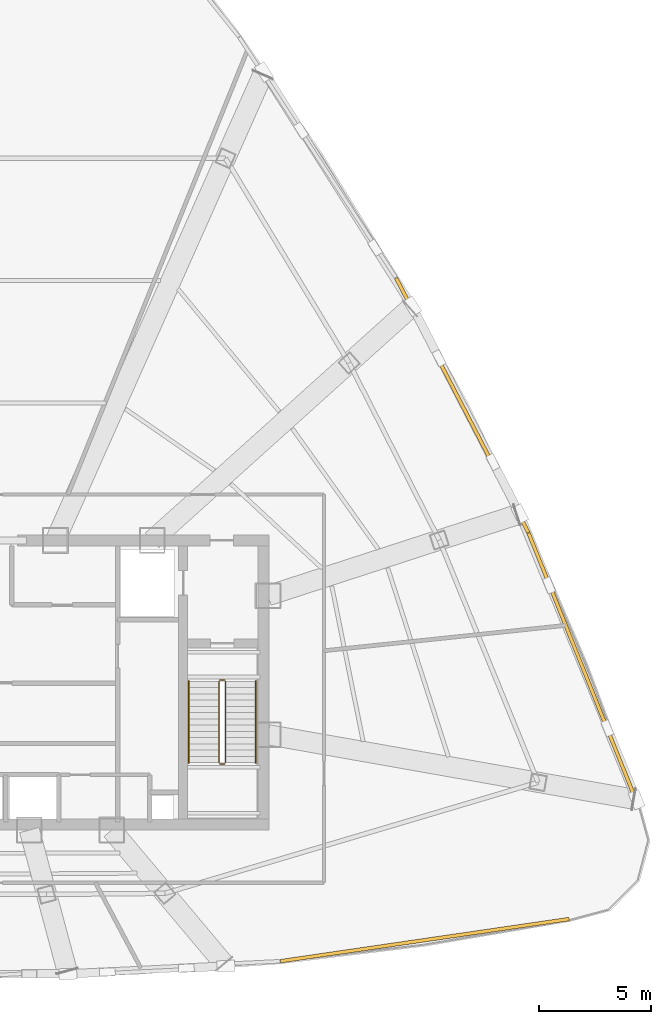
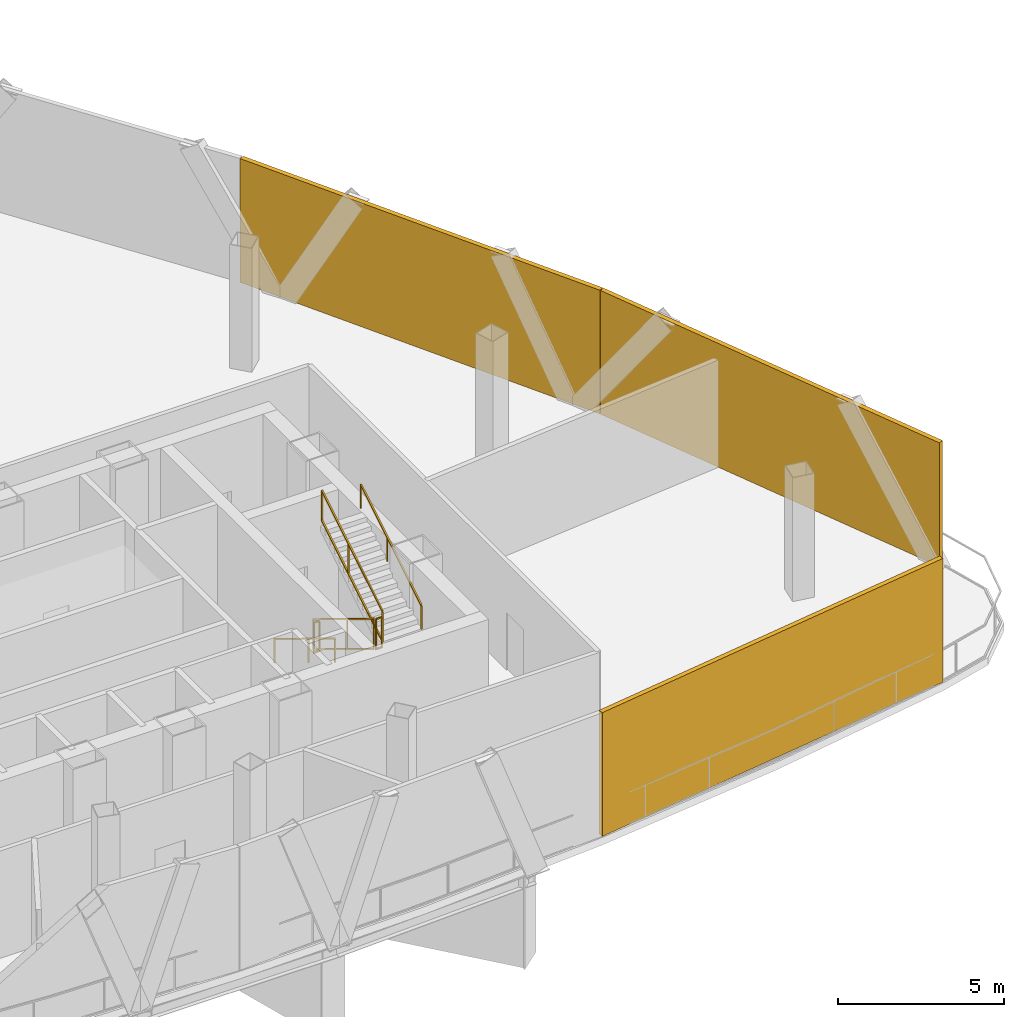
# One storey, part 11 of 12: 6 railings, 3 shading devices.
"""IFC4 building model written with IfcOpenShell, lengths in metres."""

from ifc_helpers import new_model, si_unit, direction, frame, origin, origin_2d, place, context, subcontext, project, spatial, rectangle, extrude, source, transform, mapped, material, layer, layer_set, type_object, element, save


model = new_model("IFC4")

# Units and contexts
model_context = context("Model", 3, precision=1e-05, world=origin(), true_north=direction((0.0, 1.0)))
body_context = subcontext(model_context, "Body", "Model", "MODEL_VIEW")
ifc_project = project(units=[si_unit("LENGTHUNIT", "METRE"), si_unit("AREAUNIT", "SQUARE_METRE"), si_unit("VOLUMEUNIT", "CUBIC_METRE"), si_unit("PLANEANGLEUNIT", "RADIAN"), si_unit("MASSUNIT", "GRAM", prefix="KILO"), si_unit("THERMODYNAMICTEMPERATUREUNIT", "KELVIN"), si_unit("POWERUNIT", "WATT")], contexts=[model_context])

# Site, building, storey
site_placement = place(None, origin())
site = spatial("IfcSite", under=ifc_project, at=site_placement, CompositionType="ELEMENT")
building_placement = place(site_placement, origin())
building = spatial("IfcBuilding", under=site, at=building_placement, Name="Yunzhuo Pagoda Commons", CompositionType="ELEMENT")
storey_placement = place(building_placement, frame((0.0, 0.0, 320.7099609375)))
storey = spatial("IfcBuildingStorey", under=building, at=storey_placement, Name="L80", CompositionType="ELEMENT", Elevation=320.7099609375)

# Railings
ifc_material = material(Name="Anodized aluminium 6063-T6", Category="aluminium")
railing_type_1 = type_object("IfcRailingType", Name="GR-ST2 Stair Well Guardrail 1160", PredefinedType="GUARDRAIL", material=ifc_material)
railing_1_placement = place(storey_placement, frame((58.199951171875, 33.89990234375, 0.17138671875)))
element("IfcRailing", 1, at=railing_1_placement, inside=storey, type_object=railing_type_1, Name="L80 ST2 stair guard 1", PredefinedType="GUARDRAIL", context=body_context, shape_type="SweptSolid", body=[
    extrude(rectangle(XDim=0.048095703125, YDim=0.048095703125, at=origin_2d()), frame((0.0, 0.0, 1.1259765625), z_axis=(0.0, -0.852824790078, 0.522197163366), x_axis=(1.0, 0.0, 0.0)), (0.0, 0.0, 1.0), 4.26806640625),
    extrude(rectangle(XDim=0.048095703125, YDim=0.048095703125, at=origin_2d()), frame((0.0, 0.0, 0.02392578125), z_axis=(0.0, -0.852824790078, 0.522197163366), x_axis=(1.0, 0.0, 0.0)), (0.0, 0.0, 1.0), 4.26806640625),
    extrude(rectangle(XDim=0.0419921875, YDim=0.0419921875, at=origin_2d()), origin(), (0.0, 0.0, 1.0), 1.101806640625),
    extrude(rectangle(XDim=0.0419921875, YDim=0.0419921875, at=origin_2d()), frame((0.0, -2.046875, 1.253173828125)), (0.0, 0.0, 1.0), 1.101806640625),
    extrude(rectangle(XDim=0.0419921875, YDim=0.0419921875, at=origin_2d()), frame((0.0, -3.639892578125, 2.228759765625)), (0.0, 0.0, 1.0), 1.101806640625),
])
railing_2_placement = place(storey_placement, frame((58.25, 30.2099609375, 2.400146484375)))
element("IfcRailing", 2, at=railing_2_placement, inside=storey, type_object=railing_type_1, Name="L80 ST2 stair guard 2", PredefinedType="GUARDRAIL", context=body_context, shape_type="SweptSolid", body=[
    extrude(rectangle(XDim=0.048095703125, YDim=0.048095703125, at=origin_2d()), frame((0.0, 0.0, 1.1259765625), z_axis=(1.0, 0.0, 0.0), x_axis=(0.0, 1.0, 0.0)), (0.0, 0.0, 1.0), 0.199951171875),
    extrude(rectangle(XDim=0.048095703125, YDim=0.048095703125, at=origin_2d()), frame((0.0, 0.0, 0.02392578125), z_axis=(1.0, 0.0, 0.0), x_axis=(0.0, 1.0, 0.0)), (0.0, 0.0, 1.0), 0.199951171875),
    extrude(rectangle(XDim=0.0419921875, YDim=0.0419921875, at=origin_2d()), origin(), (0.0, 0.0, 1.0), 1.101806640625),
    extrude(rectangle(XDim=0.0419921875, YDim=0.0419921875, at=origin_2d()), frame((0.199951171875, 0.0, 0.0)), (0.0, 0.0, 1.0), 1.101806640625),
])
railing_3_placement = place(storey_placement, frame((58.5, 30.260009765625, 2.571533203125)))
element("IfcRailing", 3, at=railing_3_placement, inside=storey, type_object=railing_type_1, Name="L80 ST2 stair guard 3", PredefinedType="GUARDRAIL", context=body_context, shape_type="SweptSolid", body=[
    extrude(rectangle(XDim=0.048095703125, YDim=0.048095703125, at=origin_2d()), frame((0.0, 0.0, 1.1259765625), z_axis=(0.0, 0.852850264322, 0.5221555579), x_axis=(-1.0, 0.0, 0.0)), (0.0, 0.0, 1.0), 4.267822265625),
    extrude(rectangle(XDim=0.048095703125, YDim=0.048095703125, at=origin_2d()), frame((0.0, 0.0, 0.02392578125), z_axis=(0.0, 0.852850264322, 0.5221555579), x_axis=(-1.0, 0.0, 0.0)), (0.0, 0.0, 1.0), 4.267822265625),
    extrude(rectangle(XDim=0.0419921875, YDim=0.0419921875, at=origin_2d()), origin(), (0.0, 0.0, 1.0), 1.101806640625),
    extrude(rectangle(XDim=0.0419921875, YDim=0.0419921875, at=origin_2d()), frame((0.0, 2.046875, 1.253173828125)), (0.0, 0.0, 1.0), 1.101806640625),
    extrude(rectangle(XDim=0.0419921875, YDim=0.0419921875, at=origin_2d()), frame((0.0, 3.639892578125, 2.228515625)), (0.0, 0.0, 1.0), 1.101806640625),
])
railing_4_placement = place(storey_placement, frame((58.25, 33.949951171875, 0.0)))
element("IfcRailing", 4, at=railing_4_placement, inside=storey, type_object=railing_type_1, Name="L80 ST2 stair guard 4", PredefinedType="GUARDRAIL", context=body_context, shape_type="SweptSolid", body=[
    extrude(rectangle(XDim=0.048095703125, YDim=0.048095703125, at=origin_2d()), frame((0.0, 0.0, 1.1259765625), z_axis=(1.0, 0.0, 0.0), x_axis=(0.0, 1.0, 0.0)), (0.0, 0.0, 1.0), 0.199951171875),
    extrude(rectangle(XDim=0.048095703125, YDim=0.048095703125, at=origin_2d()), frame((0.0, 0.0, 0.02392578125), z_axis=(1.0, 0.0, 0.0), x_axis=(0.0, 1.0, 0.0)), (0.0, 0.0, 1.0), 0.199951171875),
    extrude(rectangle(XDim=0.0419921875, YDim=0.0419921875, at=origin_2d()), origin(), (0.0, 0.0, 1.0), 1.101806640625),
    extrude(rectangle(XDim=0.0419921875, YDim=0.0419921875, at=origin_2d()), frame((0.199951171875, 0.0, 0.0)), (0.0, 0.0, 1.0), 1.101806640625),
])
railing_type_2 = type_object("IfcRailingType", Name="HR-ST2 Stair Handrail 900", PredefinedType="HANDRAIL", material=ifc_material)
railing_5_placement = place(storey_placement, frame((56.85009765625, 33.89990234375, 0.17138671875)))
element("IfcRailing", 5, at=railing_5_placement, inside=storey, type_object=railing_type_2, Name="L80 ST2 stair handrail 1", PredefinedType="HANDRAIL", context=body_context, shape_type="SweptSolid", body=[
    extrude(rectangle(XDim=0.048095703125, YDim=0.048095703125, at=origin_2d()), frame((0.0, 0.0, 0.8759765625), z_axis=(0.0, -0.852824790078, 0.522197163366), x_axis=(1.0, 0.0, 0.0)), (0.0, 0.0, 1.0), 4.26806640625),
    extrude(rectangle(XDim=0.0419921875, YDim=0.0419921875, at=origin_2d()), origin(), (0.0, 0.0, 1.0), 0.851806640625),
    extrude(rectangle(XDim=0.0419921875, YDim=0.0419921875, at=origin_2d()), frame((0.0, -2.046875, 1.253173828125)), (0.0, 0.0, 1.0), 0.851806640625),
    extrude(rectangle(XDim=0.0419921875, YDim=0.0419921875, at=origin_2d()), frame((0.0, -3.639892578125, 2.228759765625)), (0.0, 0.0, 1.0), 0.851806640625),
])
railing_6_placement = place(storey_placement, frame((59.85009765625, 30.260009765625, 2.571533203125)))
element("IfcRailing", 6, at=railing_6_placement, inside=storey, type_object=railing_type_2, Name="L80 ST2 stair handrail 2", PredefinedType="HANDRAIL", context=body_context, shape_type="SweptSolid", body=[
    extrude(rectangle(XDim=0.048095703125, YDim=0.048095703125, at=origin_2d()), frame((0.0, 0.0, 0.8759765625), z_axis=(0.0, 0.852850264322, 0.5221555579), x_axis=(-1.0, 0.0, 0.0)), (0.0, 0.0, 1.0), 4.267822265625),
    extrude(rectangle(XDim=0.0419921875, YDim=0.0419921875, at=origin_2d()), origin(), (0.0, 0.0, 1.0), 0.851806640625),
    extrude(rectangle(XDim=0.0419921875, YDim=0.0419921875, at=origin_2d()), frame((0.0, 2.046875, 1.253173828125)), (0.0, 0.0, 1.0), 0.851806640625),
    extrude(rectangle(XDim=0.0419921875, YDim=0.0419921875, at=origin_2d()), frame((0.0, 3.639892578125, 2.228515625)), (0.0, 0.0, 1.0), 0.851806640625),
])

# Shading devices
ifc_layer = layer(ifc_material, 0.159912109375)
ifc_layer_set = layer_set([ifc_layer], Name="Anodized aluminium 6063-T6")
shading_device_type = type_object("IfcShadingDeviceType", Name="SH-SCR1 Stormproof Refuge Louvre Screen", PredefinedType="JALOUSIE", material=ifc_layer_set)
shared_shape_1 = source(origin(), body_context, "Body", "SweptSolid", [
    extrude(rectangle(XDim=13.047119140625, YDim=0.159912109375, at=origin_2d()), origin(), (0.0, 0.0, 1.0), 4.5400390625),
])
shading_device_1_placement = place(storey_placement, frame((67.407470703125, 22.329833984375, 0.0), z_axis=(0.0, 0.0, 1.0), x_axis=(0.989510666697, 0.144459823108, 0.0)))
element("IfcShadingDevice", 7, at=shading_device_1_placement, inside=storey, type_object=shading_device_type, Name="L80 stormproof refuge louvre screen F1.4", PredefinedType="JALOUSIE", context=body_context, shape_type="MappedRepresentation", body=[
    mapped(shared_shape_1, transform((0.0, 0.0, 0.0), scale=1.0)),
])
shared_shape_2 = source(origin(), body_context, "Body", "SweptSolid", [
    extrude(rectangle(XDim=12.942138671875, YDim=0.159912109375, at=origin_2d()), origin(), (0.0, 0.0, 1.0), 4.5400390625),
])
shading_device_2_placement = place(storey_placement, frame((74.460693359375, 34.522216796875, 0.0), z_axis=(0.0, 0.0, 1.0), x_axis=(-0.372987782576, 0.927836253899, 0.0)))
element("IfcShadingDevice", 8, at=shading_device_2_placement, inside=storey, type_object=shading_device_type, Name="L80 stormproof refuge louvre screen F2.1", PredefinedType="JALOUSIE", context=body_context, shape_type="MappedRepresentation", body=[
    mapped(shared_shape_2, transform((0.0, 0.0, 0.0), scale=1.0)),
])
shared_shape_3 = source(origin(), body_context, "Body", "SweptSolid", [
    extrude(rectangle(XDim=12.8193359375, YDim=0.159912109375, at=origin_2d()), origin(), (0.0, 0.0, 1.0), 4.5400390625),
])
shading_device_3_placement = place(storey_placement, frame((69.0791015625, 46.2392578125, 0.0), z_axis=(0.0, 0.0, 1.0), x_axis=(-0.461206683033, 0.88729273384, 0.0)))
element("IfcShadingDevice", 9, at=shading_device_3_placement, inside=storey, type_object=shading_device_type, Name="L80 stormproof refuge louvre screen F2.2", PredefinedType="JALOUSIE", context=body_context, shape_type="MappedRepresentation", body=[
    mapped(shared_shape_3, transform((0.0, 0.0, 0.0), scale=1.0)),
])

save(model, "model.ifc")
